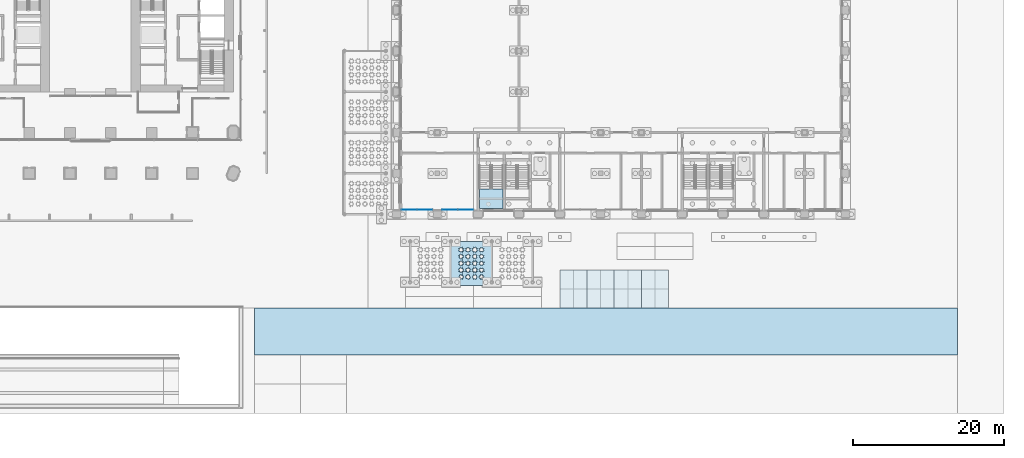
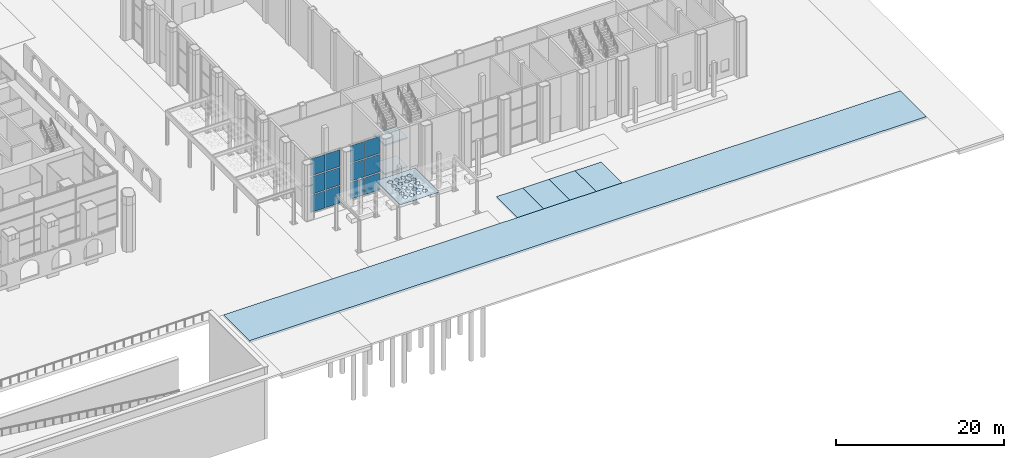
# One storey, part 21 of 54: 13 plates, 7 slabs, 3 elements without a shape of their own.
"""IFC4 building model written with IfcOpenShell, lengths in metres."""

from ifc_helpers import new_model, si_unit, direction, frame, origin, origin_2d, place, context, subcontext, project, spatial, polyline, rectangle, outline, extrude, material, layer, layer_set, type_object, element, aggregate, save


model = new_model("IFC4")

# Units and contexts
model_context = context("Model", 3, precision=1e-05, world=origin(), true_north=direction((0.0, 1.0)))
body_context = subcontext(model_context, "Body", "Model", "MODEL_VIEW")
ifc_project = project(units=[si_unit("LENGTHUNIT", "METRE"), si_unit("AREAUNIT", "SQUARE_METRE"), si_unit("VOLUMEUNIT", "CUBIC_METRE"), si_unit("PLANEANGLEUNIT", "RADIAN"), si_unit("MASSUNIT", "GRAM", prefix="KILO")], contexts=[model_context])

# Site, building, storey
site_placement = place(None, origin())
site = spatial("IfcSite", under=ifc_project, at=site_placement, CompositionType="ELEMENT")
building_placement = place(site_placement, origin())
building = spatial("IfcBuilding", under=site, at=building_placement, Name="Tabaq Tower and Sports Hall", CompositionType="ELEMENT")
storey_placement = place(building_placement, origin())
storey = spatial("IfcBuildingStorey", under=building, at=storey_placement, Name="L00", CompositionType="ELEMENT", Elevation=0.0)

# Slabs
ifc_material_1 = material(Name="Precast concrete C35/45 paving units on compacted limestone sub-base", Category="masonry")
ifc_layer_1 = layer(ifc_material_1, 0.25)
ifc_layer_set_1 = layer_set([ifc_layer_1], Name="ACCESSIBLE PARKING BAY PAVING 250")
slab_type_1 = type_object("IfcSlabType", Name="ACCESSIBLE PARKING BAY PAVING 250", PredefinedType="USERDEFINED", material=ifc_layer_set_1)
slab_1_placement = place(storey_placement, frame((0.0, 0.0, -0.25)))
element("IfcSlab", 1, at=slab_1_placement, inside=storey, type_object=slab_type_1, Name="Accessible Parking Bay 01", ObjectType="PAVING", PredefinedType="USERDEFINED", context=body_context, shape_type="SweptSolid", body=[
    extrude(outline(polyline([(90.0, -12.39990234375), (90.0, -7.39990234375), (86.39990234375, -7.39990234375), (86.39990234375, -12.39990234375), (90.0, -12.39990234375)])), origin(), (0.0, 0.0, 1.0), 0.25),
])
slab_2_placement = place(storey_placement, frame((0.0, 0.0, -0.25)))
element("IfcSlab", 2, at=slab_2_placement, inside=storey, type_object=slab_type_1, Name="Accessible Parking Bay 02", ObjectType="PAVING", PredefinedType="USERDEFINED", context=body_context, shape_type="SweptSolid", body=[
    extrude(outline(polyline([(93.60009765625, -12.39990234375), (93.60009765625, -7.39990234375), (90.0, -7.39990234375), (90.0, -12.39990234375), (93.60009765625, -12.39990234375)])), origin(), (0.0, 0.0, 1.0), 0.25),
])
slab_3_placement = place(storey_placement, frame((0.0, 0.0, -0.25)))
element("IfcSlab", 3, at=slab_3_placement, inside=storey, type_object=slab_type_1, Name="Accessible Parking Bay 03", ObjectType="PAVING", PredefinedType="USERDEFINED", context=body_context, shape_type="SweptSolid", body=[
    extrude(outline(polyline([(97.199951171875, -12.39990234375), (97.199951171875, -7.39990234375), (93.60009765625, -7.39990234375), (93.60009765625, -12.39990234375), (97.199951171875, -12.39990234375)])), origin(), (0.0, 0.0, 1.0), 0.25),
])
slab_4_placement = place(storey_placement, frame((0.0, 0.0, -0.25)))
element("IfcSlab", 4, at=slab_4_placement, inside=storey, type_object=slab_type_1, Name="Accessible Parking Bay 04", ObjectType="PAVING", PredefinedType="USERDEFINED", context=body_context, shape_type="SweptSolid", body=[
    extrude(outline(polyline([(100.800048828125, -12.39990234375), (100.800048828125, -7.39990234375), (97.199951171875, -7.39990234375), (97.199951171875, -12.39990234375), (100.800048828125, -12.39990234375)])), origin(), (0.0, 0.0, 1.0), 0.25),
])
ifc_material_2 = material(Name="Asphalt wearing course on crushed limestone base", Category="masonry")
ifc_layer_2 = layer(ifc_material_2, 0.300048828125)
ifc_layer_set_2 = layer_set([ifc_layer_2], Name="ASPHALT ROAD 300")
slab_type_2 = type_object("IfcSlabType", Name="ASPHALT ROAD 300", PredefinedType="USERDEFINED", material=ifc_layer_set_2)
slab_5_placement = place(storey_placement, frame((0.0, 0.0, -0.300048828125)))
element("IfcSlab", 5, at=slab_5_placement, inside=storey, type_object=slab_type_2, Name="South Road (fire appliance access)", ObjectType="PAVING", PredefinedType="USERDEFINED", context=body_context, shape_type="SweptSolid", body=[
    extrude(outline(polyline([(139.0, -18.60009765625), (139.0, -12.39990234375), (61.0, -12.39990234375), (46.0, -12.39990234375), (46.0, -18.60009765625), (139.0, -18.60009765625)])), origin(), (0.0, 0.0, 1.0), 0.300048828125),
])

# Curtain wall, plates
ifc_material_3 = material(Name="Aluminium alloy 6063-T6 framed glazing", Category="aluminium")
curtain_wall_type = type_object("IfcCurtainWallType", Name="CW6 curtain wall", PredefinedType="USERDEFINED", material=ifc_material_3)
curtain_wall_1_placement = place(storey_placement, origin())
curtain_wall_1 = element("IfcCurtainWall", 6, at=curtain_wall_1_placement, inside=storey, type_object=curtain_wall_type, Name="L00 S hall glazing run", ObjectType="HALL FACADE WALL", PredefinedType="USERDEFINED")
ifc_material_4 = material(Name="Clear low-emissivity glass 28 mm", Category="glass")
ifc_layer_3 = layer(ifc_material_4, 0.031982421875)
ifc_layer_set_3 = layer_set([ifc_layer_3], Name="CW6 glass panel 32")
plate_type_1 = type_object("IfcPlateType", Name="CW6 glass panel 32", PredefinedType="CURTAIN_PANEL", material=ifc_layer_set_3)
plate_1_placement = place(storey_placement, frame((66.467529296875, 0.60009765625, 0.159912109375), z_axis=(0.0, 0.0, 1.0), x_axis=(1.0, 0.0, 0.0)))
plate_1 = element("IfcPlate", 7, at=plate_1_placement, type_object=plate_type_1, Name="CW6 panel 1.1", PredefinedType="CURTAIN_PANEL", context=body_context, shape_type="SweptSolid", body=[
    extrude(rectangle(XDim=1.9951171875, YDim=0.031982421875, at=origin_2d()), origin(), (0.0, 0.0, 1.0), 2.4599609375),
])
plate_2_placement = place(storey_placement, frame((66.467529296875, 0.60009765625, 2.780029296875), z_axis=(0.0, 0.0, 1.0), x_axis=(1.0, 0.0, 0.0)))
plate_2 = element("IfcPlate", 8, at=plate_2_placement, type_object=plate_type_1, Name="CW6 panel 1.2", PredefinedType="CURTAIN_PANEL", context=body_context, shape_type="SweptSolid", body=[
    extrude(rectangle(XDim=1.9951171875, YDim=0.031982421875, at=origin_2d()), origin(), (0.0, 0.0, 1.0), 2.5400390625),
])
plate_3_placement = place(storey_placement, frame((66.467529296875, 0.60009765625, 5.47998046875), z_axis=(0.0, 0.0, 1.0), x_axis=(1.0, 0.0, 0.0)))
plate_3 = element("IfcPlate", 9, at=plate_3_placement, type_object=plate_type_1, Name="CW6 panel 1.3", PredefinedType="CURTAIN_PANEL", context=body_context, shape_type="SweptSolid", body=[
    extrude(rectangle(XDim=1.9951171875, YDim=0.031982421875, at=origin_2d()), origin(), (0.0, 0.0, 1.0), 2.4599609375),
])
plate_4_placement = place(storey_placement, frame((68.532470703125, 0.60009765625, 0.159912109375), z_axis=(0.0, 0.0, 1.0), x_axis=(1.0, 0.0, 0.0)))
plate_4 = element("IfcPlate", 10, at=plate_4_placement, type_object=plate_type_1, Name="CW6 panel 2.1", PredefinedType="CURTAIN_PANEL", context=body_context, shape_type="SweptSolid", body=[
    extrude(rectangle(XDim=1.9951171875, YDim=0.031982421875, at=origin_2d()), origin(), (0.0, 0.0, 1.0), 2.4599609375),
])
plate_5_placement = place(storey_placement, frame((68.532470703125, 0.60009765625, 2.780029296875), z_axis=(0.0, 0.0, 1.0), x_axis=(1.0, 0.0, 0.0)))
plate_5 = element("IfcPlate", 11, at=plate_5_placement, type_object=plate_type_1, Name="CW6 panel 2.2", PredefinedType="CURTAIN_PANEL", context=body_context, shape_type="SweptSolid", body=[
    extrude(rectangle(XDim=1.9951171875, YDim=0.031982421875, at=origin_2d()), origin(), (0.0, 0.0, 1.0), 2.5400390625),
])
plate_6_placement = place(storey_placement, frame((68.532470703125, 0.60009765625, 5.47998046875), z_axis=(0.0, 0.0, 1.0), x_axis=(1.0, 0.0, 0.0)))
plate_6 = element("IfcPlate", 12, at=plate_6_placement, type_object=plate_type_1, Name="CW6 panel 2.3", PredefinedType="CURTAIN_PANEL", context=body_context, shape_type="SweptSolid", body=[
    extrude(rectangle(XDim=1.9951171875, YDim=0.031982421875, at=origin_2d()), origin(), (0.0, 0.0, 1.0), 2.4599609375),
])
aggregate(curtain_wall_1, [plate_1, plate_2, plate_3, plate_4, plate_5, plate_6])

curtain_wall_2_placement = place(storey_placement, origin())
curtain_wall_2 = element("IfcCurtainWall", 13, at=curtain_wall_2_placement, inside=storey, type_object=curtain_wall_type, Name="L00 S hall glazing run", ObjectType="HALL FACADE WALL", PredefinedType="USERDEFINED")
plate_7_placement = place(storey_placement, frame((71.867431640625, 0.60009765625, 0.159912109375), z_axis=(0.0, 0.0, 1.0), x_axis=(1.0, 0.0, 0.0)))
plate_7 = element("IfcPlate", 14, at=plate_7_placement, type_object=plate_type_1, Name="CW6 panel 1.1", PredefinedType="CURTAIN_PANEL", context=body_context, shape_type="SweptSolid", body=[
    extrude(rectangle(XDim=1.9951171875, YDim=0.031982421875, at=origin_2d()), origin(), (0.0, 0.0, 1.0), 2.4599609375),
])
plate_8_placement = place(storey_placement, frame((71.867431640625, 0.60009765625, 2.780029296875), z_axis=(0.0, 0.0, 1.0), x_axis=(1.0, 0.0, 0.0)))
plate_8 = element("IfcPlate", 15, at=plate_8_placement, type_object=plate_type_1, Name="CW6 panel 1.2", PredefinedType="CURTAIN_PANEL", context=body_context, shape_type="SweptSolid", body=[
    extrude(rectangle(XDim=1.9951171875, YDim=0.031982421875, at=origin_2d()), origin(), (0.0, 0.0, 1.0), 2.5400390625),
])
plate_9_placement = place(storey_placement, frame((71.867431640625, 0.60009765625, 5.47998046875), z_axis=(0.0, 0.0, 1.0), x_axis=(1.0, 0.0, 0.0)))
plate_9 = element("IfcPlate", 16, at=plate_9_placement, type_object=plate_type_1, Name="CW6 panel 1.3", PredefinedType="CURTAIN_PANEL", context=body_context, shape_type="SweptSolid", body=[
    extrude(rectangle(XDim=1.9951171875, YDim=0.031982421875, at=origin_2d()), origin(), (0.0, 0.0, 1.0), 2.4599609375),
])
plate_10_placement = place(storey_placement, frame((73.9326171875, 0.60009765625, 0.159912109375), z_axis=(0.0, 0.0, 1.0), x_axis=(1.0, 0.0, 0.0)))
plate_10 = element("IfcPlate", 17, at=plate_10_placement, type_object=plate_type_1, Name="CW6 panel 2.1", PredefinedType="CURTAIN_PANEL", context=body_context, shape_type="SweptSolid", body=[
    extrude(rectangle(XDim=1.9951171875, YDim=0.031982421875, at=origin_2d()), origin(), (0.0, 0.0, 1.0), 2.4599609375),
])
plate_11_placement = place(storey_placement, frame((73.9326171875, 0.60009765625, 2.780029296875), z_axis=(0.0, 0.0, 1.0), x_axis=(1.0, 0.0, 0.0)))
plate_11 = element("IfcPlate", 18, at=plate_11_placement, type_object=plate_type_1, Name="CW6 panel 2.2", PredefinedType="CURTAIN_PANEL", context=body_context, shape_type="SweptSolid", body=[
    extrude(rectangle(XDim=1.9951171875, YDim=0.031982421875, at=origin_2d()), origin(), (0.0, 0.0, 1.0), 2.5400390625),
])
plate_12_placement = place(storey_placement, frame((73.9326171875, 0.60009765625, 5.47998046875), z_axis=(0.0, 0.0, 1.0), x_axis=(1.0, 0.0, 0.0)))
plate_12 = element("IfcPlate", 19, at=plate_12_placement, type_object=plate_type_1, Name="CW6 panel 2.3", PredefinedType="CURTAIN_PANEL", context=body_context, shape_type="SweptSolid", body=[
    extrude(rectangle(XDim=1.9951171875, YDim=0.031982421875, at=origin_2d()), origin(), (0.0, 0.0, 1.0), 2.4599609375),
])
aggregate(curtain_wall_2, [plate_7, plate_8, plate_9, plate_10, plate_11, plate_12])

# Stair, slabs
ifc_material_5 = material(Name="Concrete C40/50", Category="concrete")
stair_type = type_object("IfcStairType", Name="HALL STAIR HALF-TURN", PredefinedType="HALF_TURN_STAIR", material=ifc_material_5)
stair_placement = place(storey_placement, origin())
stair = element("IfcStair", 20, at=stair_placement, inside=storey, type_object=stair_type, Name="L00 Stair H1", PredefinedType="HALF_TURN_STAIR")
ifc_material_6 = material(Name="Concrete C40/50", Category="concrete")
ifc_layer_4 = layer(ifc_material_6, 0.199951171875)
ifc_layer_set_4 = layer_set([ifc_layer_4], Name="HALL STAIR LANDING 200")
slab_type_3 = type_object("IfcSlabType", Name="HALL STAIR LANDING 200", PredefinedType="LANDING", material=ifc_layer_set_4)
slab_6_placement = place(storey_placement, frame((0.0, 0.0, 1.89990234375)))
slab_6 = element("IfcSlab", 21, at=slab_6_placement, type_object=slab_type_3, Name="ST-H1 landing 1", PredefinedType="LANDING", context=body_context, shape_type="SweptSolid", body=[
    extrude(outline(polyline([(75.75, 3.3701171875), (75.75, 0.75), (78.89990234375, 0.75), (78.89990234375, 3.3701171875), (75.75, 3.3701171875)])), origin(), (0.0, 0.0, 1.0), 0.2001953125),
])
slab_7_placement = place(storey_placement, frame((0.0, 0.0, 6.10009765625)))
slab_7 = element("IfcSlab", 22, at=slab_7_placement, type_object=slab_type_3, Name="ST-H1 landing 3", PredefinedType="LANDING", context=body_context, shape_type="SweptSolid", body=[
    extrude(outline(polyline([(75.75, 3.3701171875), (75.75, 0.75), (78.89990234375, 0.75), (78.89990234375, 3.3701171875), (75.75, 3.3701171875)])), origin(), (0.0, 0.0, 1.0), 0.199951171875),
])
aggregate(stair, [slab_6, slab_7])

# Plate
ifc_material_7 = material(Name="Stainless steel grade 1.4401 pierced panel", Category="steel")
ifc_layer_5 = layer(ifc_material_7, 0.050048828125)
ifc_layer_set_5 = layer_set([ifc_layer_5], Name="SCREEN PIERCED STAR PANEL 50")
plate_type_2 = type_object("IfcPlateType", Name="SCREEN PIERCED STAR PANEL 50", PredefinedType="USERDEFINED", material=ifc_layer_set_5)
plate_13_placement = place(storey_placement, frame((0.0, 0.0, 5.0)))
element("IfcPlate", 23, at=plate_13_placement, inside=storey, type_object=plate_type_2, Name="Drop-off canopy screen 2", ObjectType="SCREEN", PredefinedType="USERDEFINED", context=body_context, shape_type="SweptSolid", body=[
    extrude(outline(polyline([(72.010009765625, -9.39990234375), (77.389892578125, -9.39990234375), (77.389892578125, -3.60009765625), (72.010009765625, -3.60009765625), (72.010009765625, -9.39990234375)]), holes=[polyline([(73.550048828125, -8.300048828125), (73.719482421875, -8.453125), (73.491455078125, -8.44140625), (73.503173828125, -8.669677734375), (73.35009765625, -8.5), (73.197021484375, -8.669677734375), (73.20849609375, -8.44140625), (72.98046875, -8.453125), (73.14990234375, -8.300048828125), (72.98046875, -8.14697265625), (73.20849609375, -8.15869140625), (73.197021484375, -7.930419921875), (73.35009765625, -8.10009765625), (73.503173828125, -7.930419921875), (73.491455078125, -8.15869140625), (73.719482421875, -8.14697265625), (73.550048828125, -8.300048828125)]), polyline([(73.550048828125, -7.39990234375), (73.719482421875, -7.552978515625), (73.491455078125, -7.54150390625), (73.503173828125, -7.76953125), (73.35009765625, -7.60009765625), (73.197021484375, -7.76953125), (73.20849609375, -7.54150390625), (72.98046875, -7.552978515625), (73.14990234375, -7.39990234375), (72.98046875, -7.246826171875), (73.20849609375, -7.258544921875), (73.197021484375, -7.030517578125), (73.35009765625, -7.199951171875), (73.503173828125, -7.030517578125), (73.491455078125, -7.258544921875), (73.719482421875, -7.246826171875), (73.550048828125, -7.39990234375)]), polyline([(73.550048828125, -6.5), (73.719482421875, -6.653076171875), (73.491455078125, -6.641357421875), (73.503173828125, -6.86962890625), (73.35009765625, -6.699951171875), (73.197021484375, -6.86962890625), (73.20849609375, -6.641357421875), (72.98046875, -6.653076171875), (73.14990234375, -6.5), (72.98046875, -6.346923828125), (73.20849609375, -6.358642578125), (73.197021484375, -6.13037109375), (73.35009765625, -6.300048828125), (73.503173828125, -6.13037109375), (73.491455078125, -6.358642578125), (73.719482421875, -6.346923828125), (73.550048828125, -6.5)]), polyline([(73.550048828125, -5.60009765625), (73.719482421875, -5.753173828125), (73.491455078125, -5.741455078125), (73.503173828125, -5.969482421875), (73.35009765625, -5.800048828125), (73.197021484375, -5.969482421875), (73.20849609375, -5.741455078125), (72.98046875, -5.753173828125), (73.14990234375, -5.60009765625), (72.98046875, -5.447021484375), (73.20849609375, -5.45849609375), (73.197021484375, -5.23046875), (73.35009765625, -5.39990234375), (73.503173828125, -5.23046875), (73.491455078125, -5.45849609375), (73.719482421875, -5.447021484375), (73.550048828125, -5.60009765625)]), polyline([(73.550048828125, -4.699951171875), (73.719482421875, -4.85302734375), (73.491455078125, -4.84130859375), (73.503173828125, -5.069580078125), (73.35009765625, -4.89990234375), (73.197021484375, -5.069580078125), (73.20849609375, -4.84130859375), (72.98046875, -4.85302734375), (73.14990234375, -4.699951171875), (72.98046875, -4.546875), (73.20849609375, -4.55859375), (73.197021484375, -4.330322265625), (73.35009765625, -4.5), (73.503173828125, -4.330322265625), (73.491455078125, -4.55859375), (73.719482421875, -4.546875), (73.550048828125, -4.699951171875)]), polyline([(74.449951171875, -8.300048828125), (74.61962890625, -8.453125), (74.391357421875, -8.44140625), (74.403076171875, -8.669677734375), (74.25, -8.5), (74.096923828125, -8.669677734375), (74.108642578125, -8.44140625), (73.88037109375, -8.453125), (74.050048828125, -8.300048828125), (73.88037109375, -8.14697265625), (74.108642578125, -8.15869140625), (74.096923828125, -7.930419921875), (74.25, -8.10009765625), (74.403076171875, -7.930419921875), (74.391357421875, -8.15869140625), (74.61962890625, -8.14697265625), (74.449951171875, -8.300048828125)]), polyline([(74.449951171875, -7.39990234375), (74.61962890625, -7.552978515625), (74.391357421875, -7.54150390625), (74.403076171875, -7.76953125), (74.25, -7.60009765625), (74.096923828125, -7.76953125), (74.108642578125, -7.54150390625), (73.88037109375, -7.552978515625), (74.050048828125, -7.39990234375), (73.88037109375, -7.246826171875), (74.108642578125, -7.258544921875), (74.096923828125, -7.030517578125), (74.25, -7.199951171875), (74.403076171875, -7.030517578125), (74.391357421875, -7.258544921875), (74.61962890625, -7.246826171875), (74.449951171875, -7.39990234375)]), polyline([(74.449951171875, -6.5), (74.61962890625, -6.653076171875), (74.391357421875, -6.641357421875), (74.403076171875, -6.86962890625), (74.25, -6.699951171875), (74.096923828125, -6.86962890625), (74.108642578125, -6.641357421875), (73.88037109375, -6.653076171875), (74.050048828125, -6.5), (73.88037109375, -6.346923828125), (74.108642578125, -6.358642578125), (74.096923828125, -6.13037109375), (74.25, -6.300048828125), (74.403076171875, -6.13037109375), (74.391357421875, -6.358642578125), (74.61962890625, -6.346923828125), (74.449951171875, -6.5)]), polyline([(74.449951171875, -5.60009765625), (74.61962890625, -5.753173828125), (74.391357421875, -5.741455078125), (74.403076171875, -5.969482421875), (74.25, -5.800048828125), (74.096923828125, -5.969482421875), (74.108642578125, -5.741455078125), (73.88037109375, -5.753173828125), (74.050048828125, -5.60009765625), (73.88037109375, -5.447021484375), (74.108642578125, -5.45849609375), (74.096923828125, -5.23046875), (74.25, -5.39990234375), (74.403076171875, -5.23046875), (74.391357421875, -5.45849609375), (74.61962890625, -5.447021484375), (74.449951171875, -5.60009765625)]), polyline([(74.449951171875, -4.699951171875), (74.61962890625, -4.85302734375), (74.391357421875, -4.84130859375), (74.403076171875, -5.069580078125), (74.25, -4.89990234375), (74.096923828125, -5.069580078125), (74.108642578125, -4.84130859375), (73.88037109375, -4.85302734375), (74.050048828125, -4.699951171875), (73.88037109375, -4.546875), (74.108642578125, -4.55859375), (74.096923828125, -4.330322265625), (74.25, -4.5), (74.403076171875, -4.330322265625), (74.391357421875, -4.55859375), (74.61962890625, -4.546875), (74.449951171875, -4.699951171875)]), polyline([(75.35009765625, -8.300048828125), (75.51953125, -8.453125), (75.29150390625, -8.44140625), (75.302978515625, -8.669677734375), (75.14990234375, -8.5), (74.996826171875, -8.669677734375), (75.008544921875, -8.44140625), (74.780517578125, -8.453125), (74.949951171875, -8.300048828125), (74.780517578125, -8.14697265625), (75.008544921875, -8.15869140625), (74.996826171875, -7.930419921875), (75.14990234375, -8.10009765625), (75.302978515625, -7.930419921875), (75.29150390625, -8.15869140625), (75.51953125, -8.14697265625), (75.35009765625, -8.300048828125)]), polyline([(75.35009765625, -7.39990234375), (75.51953125, -7.552978515625), (75.29150390625, -7.54150390625), (75.302978515625, -7.76953125), (75.14990234375, -7.60009765625), (74.996826171875, -7.76953125), (75.008544921875, -7.54150390625), (74.780517578125, -7.552978515625), (74.949951171875, -7.39990234375), (74.780517578125, -7.246826171875), (75.008544921875, -7.258544921875), (74.996826171875, -7.030517578125), (75.14990234375, -7.199951171875), (75.302978515625, -7.030517578125), (75.29150390625, -7.258544921875), (75.51953125, -7.246826171875), (75.35009765625, -7.39990234375)]), polyline([(75.35009765625, -6.5), (75.51953125, -6.653076171875), (75.29150390625, -6.641357421875), (75.302978515625, -6.86962890625), (75.14990234375, -6.699951171875), (74.996826171875, -6.86962890625), (75.008544921875, -6.641357421875), (74.780517578125, -6.653076171875), (74.949951171875, -6.5), (74.780517578125, -6.346923828125), (75.008544921875, -6.358642578125), (74.996826171875, -6.13037109375), (75.14990234375, -6.300048828125), (75.302978515625, -6.13037109375), (75.29150390625, -6.358642578125), (75.51953125, -6.346923828125), (75.35009765625, -6.5)]), polyline([(75.35009765625, -5.60009765625), (75.51953125, -5.753173828125), (75.29150390625, -5.741455078125), (75.302978515625, -5.969482421875), (75.14990234375, -5.800048828125), (74.996826171875, -5.969482421875), (75.008544921875, -5.741455078125), (74.780517578125, -5.753173828125), (74.949951171875, -5.60009765625), (74.780517578125, -5.447021484375), (75.008544921875, -5.45849609375), (74.996826171875, -5.23046875), (75.14990234375, -5.39990234375), (75.302978515625, -5.23046875), (75.29150390625, -5.45849609375), (75.51953125, -5.447021484375), (75.35009765625, -5.60009765625)]), polyline([(75.35009765625, -4.699951171875), (75.51953125, -4.85302734375), (75.29150390625, -4.84130859375), (75.302978515625, -5.069580078125), (75.14990234375, -4.89990234375), (74.996826171875, -5.069580078125), (75.008544921875, -4.84130859375), (74.780517578125, -4.85302734375), (74.949951171875, -4.699951171875), (74.780517578125, -4.546875), (75.008544921875, -4.55859375), (74.996826171875, -4.330322265625), (75.14990234375, -4.5), (75.302978515625, -4.330322265625), (75.29150390625, -4.55859375), (75.51953125, -4.546875), (75.35009765625, -4.699951171875)]), polyline([(76.25, -8.300048828125), (76.419677734375, -8.453125), (76.19140625, -8.44140625), (76.203125, -8.669677734375), (76.050048828125, -8.5), (75.89697265625, -8.669677734375), (75.90869140625, -8.44140625), (75.680419921875, -8.453125), (75.85009765625, -8.300048828125), (75.680419921875, -8.14697265625), (75.90869140625, -8.15869140625), (75.89697265625, -7.930419921875), (76.050048828125, -8.10009765625), (76.203125, -7.930419921875), (76.19140625, -8.15869140625), (76.419677734375, -8.14697265625), (76.25, -8.300048828125)]), polyline([(76.25, -7.39990234375), (76.419677734375, -7.552978515625), (76.19140625, -7.54150390625), (76.203125, -7.76953125), (76.050048828125, -7.60009765625), (75.89697265625, -7.76953125), (75.90869140625, -7.54150390625), (75.680419921875, -7.552978515625), (75.85009765625, -7.39990234375), (75.680419921875, -7.246826171875), (75.90869140625, -7.258544921875), (75.89697265625, -7.030517578125), (76.050048828125, -7.199951171875), (76.203125, -7.030517578125), (76.19140625, -7.258544921875), (76.419677734375, -7.246826171875), (76.25, -7.39990234375)]), polyline([(76.25, -6.5), (76.419677734375, -6.653076171875), (76.19140625, -6.641357421875), (76.203125, -6.86962890625), (76.050048828125, -6.699951171875), (75.89697265625, -6.86962890625), (75.90869140625, -6.641357421875), (75.680419921875, -6.653076171875), (75.85009765625, -6.5), (75.680419921875, -6.346923828125), (75.90869140625, -6.358642578125), (75.89697265625, -6.13037109375), (76.050048828125, -6.300048828125), (76.203125, -6.13037109375), (76.19140625, -6.358642578125), (76.419677734375, -6.346923828125), (76.25, -6.5)]), polyline([(76.25, -5.60009765625), (76.419677734375, -5.753173828125), (76.19140625, -5.741455078125), (76.203125, -5.969482421875), (76.050048828125, -5.800048828125), (75.89697265625, -5.969482421875), (75.90869140625, -5.741455078125), (75.680419921875, -5.753173828125), (75.85009765625, -5.60009765625), (75.680419921875, -5.447021484375), (75.90869140625, -5.45849609375), (75.89697265625, -5.23046875), (76.050048828125, -5.39990234375), (76.203125, -5.23046875), (76.19140625, -5.45849609375), (76.419677734375, -5.447021484375), (76.25, -5.60009765625)]), polyline([(76.25, -4.699951171875), (76.419677734375, -4.85302734375), (76.19140625, -4.84130859375), (76.203125, -5.069580078125), (76.050048828125, -4.89990234375), (75.89697265625, -5.069580078125), (75.90869140625, -4.84130859375), (75.680419921875, -4.85302734375), (75.85009765625, -4.699951171875), (75.680419921875, -4.546875), (75.90869140625, -4.55859375), (75.89697265625, -4.330322265625), (76.050048828125, -4.5), (76.203125, -4.330322265625), (76.19140625, -4.55859375), (76.419677734375, -4.546875), (76.25, -4.699951171875)])]), origin(), (0.0, 0.0, 1.0), 0.050048828125),
])

save(model, "model.ifc")
